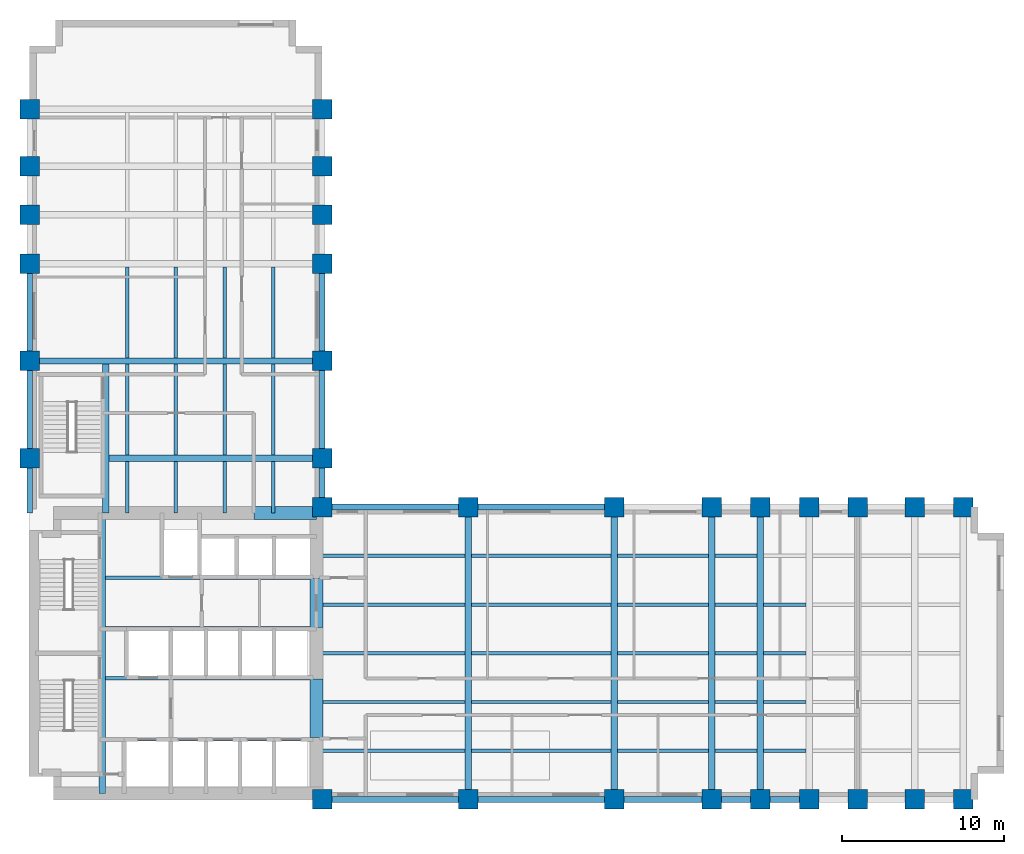
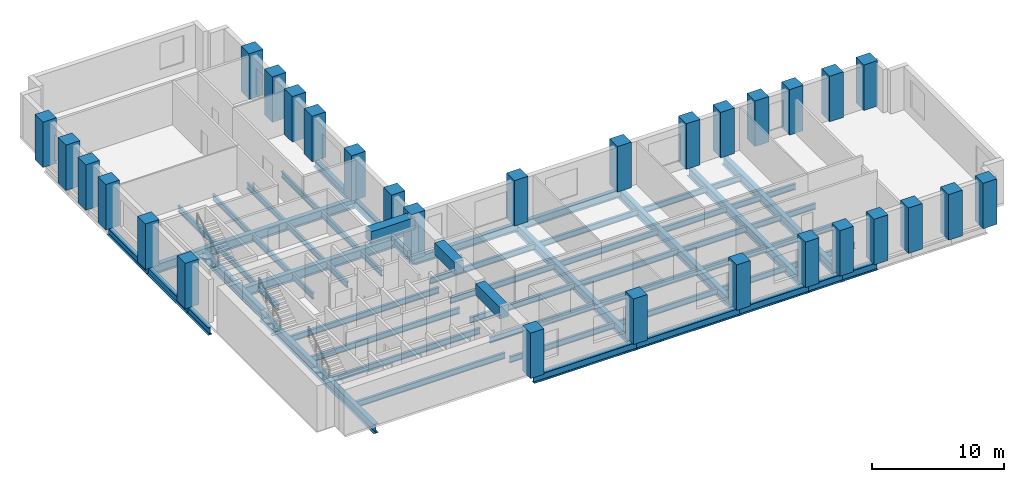
# One storey, part 1 of 7: 64 beams, 30 columns.
"""IFC4 building model written with IfcOpenShell, lengths in metres."""

from ifc_helpers import new_model, si_unit, direction, frame, origin, origin_2d, place, context, subcontext, project, spatial, rectangle, i_section, extrude, material, material_profile, profile_set, type_object, element, save


model = new_model("IFC4")

# Units and contexts
model_context = context("Model", 3, precision=1e-05, world=origin(), true_north=direction((0.0, 1.0)))
body_context = subcontext(model_context, "Body", "Model", "MODEL_VIEW")
ifc_project = project(units=[si_unit("LENGTHUNIT", "METRE"), si_unit("AREAUNIT", "SQUARE_METRE"), si_unit("VOLUMEUNIT", "CUBIC_METRE"), si_unit("PLANEANGLEUNIT", "RADIAN"), si_unit("MASSUNIT", "GRAM", prefix="KILO")], contexts=[model_context])

# Site, building, storey
site_placement = place(None, origin())
site = spatial("IfcSite", under=ifc_project, at=site_placement, CompositionType="ELEMENT")
building_placement = place(site_placement, origin())
building = spatial("IfcBuilding", under=site, at=building_placement, Name="Mawjdan Bourse Tower", CompositionType="ELEMENT")
storey_placement = place(building_placement, frame((0.0, 0.0, 34.199951171875)))
storey = spatial("IfcBuildingStorey", under=building, at=storey_placement, Name="L07", CompositionType="ELEMENT", Elevation=34.199951171875)

# Columns
ifc_material_1 = material(Name="Concrete C80/95", Category="concrete")
ifc_material_profile_1 = material_profile(ifc_material_1, rectangle(XDim=1.199951171875, YDim=1.199951171875, at=origin_2d()), Name="RC1200X1200")
ifc_profile_set_1 = profile_set([ifc_material_profile_1], Name="Concrete C80/95")
column_type = type_object("IfcColumnType", Name="COL-RC1200X1200", PredefinedType="COLUMN", material=ifc_profile_set_1)
for number, where, z_axis, x_axis, name in (
    (1, (24.0, 3.0, 0.0), (0.0, 0.0, 1.0), (1.0, 0.0, 0.0), "L07 Structural Column C-X240-Y30"),
    (2, (24.0, 21.0, 0.0), (0.0, 0.0, 1.0), (1.0, 0.0, 0.0), "L07 Structural Column C-X240-Y210"),
    (3, (33.0, 3.0, 0.0), (0.0, 0.0, 1.0), (1.0, 0.0, 0.0), "L07 Structural Column C-X330-Y30"),
    (4, (33.0, 21.0, 0.0), (0.0, 0.0, 1.0), (1.0, 0.0, 0.0), "L07 Structural Column C-X330-Y210"),
    (5, (42.0, 3.0, 0.0), (0.0, 0.0, 1.0), (1.0, 0.0, 0.0), "L07 Structural Column C-X420-Y30"),
    (6, (42.0, 21.0, 0.0), (0.0, 0.0, 1.0), (1.0, 0.0, 0.0), "L07 Structural Column C-X420-Y210"),
    (7, (48.0, 3.0, 0.0), (0.0, 0.0, 1.0), (1.0, 0.0, 0.0), "L07 Structural Column C-X480-Y30"),
    (8, (48.0, 21.0, 0.0), (0.0, 0.0, 1.0), (1.0, 0.0, 0.0), "L07 Structural Column C-X480-Y210"),
    (9, (51.0, 3.0, 0.0), (0.0, 0.0, 1.0), (1.0, 0.0, 0.0), "L07 Structural Column C-X510-Y30"),
    (10, (51.0, 21.0, 0.0), (0.0, 0.0, 1.0), (1.0, 0.0, 0.0), "L07 Structural Column C-X510-Y210"),
    (11, (54.0, 3.0, 0.0), (0.0, 0.0, 1.0), (1.0, 0.0, 0.0), "L07 Structural Column C-X540-Y30"),
    (12, (54.0, 21.0, 0.0), (0.0, 0.0, 1.0), (1.0, 0.0, 0.0), "L07 Structural Column C-X540-Y210"),
    (13, (57.0, 3.0, 0.0), (0.0, 0.0, 1.0), (1.0, 0.0, 0.0), "L07 Structural Column C-X570-Y30"),
    (14, (57.0, 21.0, 0.0), (0.0, 0.0, 1.0), (1.0, 0.0, 0.0), "L07 Structural Column C-X570-Y210"),
    (15, (60.5, 3.0, 0.0), (0.0, 0.0, 1.0), (1.0, 0.0, 0.0), "L07 Structural Column C-X605-Y30"),
    (16, (60.5, 21.0, 0.0), (0.0, 0.0, 1.0), (1.0, 0.0, 0.0), "L07 Structural Column C-X605-Y210"),
    (17, (63.5, 3.0, 0.0), (0.0, 0.0, 1.0), (1.0, 0.0, 0.0), "L07 Structural Column C-X635-Y30"),
    (18, (63.5, 21.0, 0.0), (0.0, 0.0, 1.0), (1.0, 0.0, 0.0), "L07 Structural Column C-X635-Y210"),
    (19, (6.0, 24.0, 0.0), (0.0, 0.0, 1.0), (1.0, 0.0, 0.0), "L07 Structural Column C-X60-Y240"),
    (20, (24.0, 24.0, 0.0), (0.0, 0.0, 1.0), (1.0, 0.0, 0.0), "L07 Structural Column C-X240-Y240"),
    (21, (6.0, 30.0, 0.0), (0.0, 0.0, 1.0), (1.0, 0.0, 0.0), "L07 Structural Column C-X60-Y300"),
    (22, (24.0, 30.0, 0.0), (0.0, 0.0, 1.0), (1.0, 0.0, 0.0), "L07 Structural Column C-X240-Y300"),
    (23, (6.0, 36.0, 0.0), (0.0, 0.0, 1.0), (1.0, 0.0, 0.0), "L07 Structural Column C-X60-Y360"),
    (24, (24.0, 36.0, 0.0), (0.0, 0.0, 1.0), (1.0, 0.0, 0.0), "L07 Structural Column C-X240-Y360"),
    (25, (6.0, 39.0, 0.0), (0.0, 0.0, 1.0), (1.0, 0.0, 0.0), "L07 Structural Column C-X60-Y390"),
    (26, (24.0, 39.0, 0.0), (0.0, 0.0, 1.0), (1.0, 0.0, 0.0), "L07 Structural Column C-X240-Y390"),
    (27, (6.0, 42.0, 0.0), (0.0, 0.0, 1.0), (1.0, 0.0, 0.0), "L07 Structural Column C-X60-Y420"),
    (28, (24.0, 42.0, 0.0), (0.0, 0.0, 1.0), (1.0, 0.0, 0.0), "L07 Structural Column C-X240-Y420"),
    (29, (6.0, 45.5, 0.0), (0.0, 0.0, 1.0), (1.0, 0.0, 0.0), "L07 Structural Column C-X60-Y455"),
    (30, (24.0, 45.5, 0.0), (0.0, 0.0, 1.0), (1.0, 0.0, 0.0), "L07 Structural Column C-X240-Y455"),
):
    element("IfcColumn", number, at=place(storey_placement, frame(where, z_axis=z_axis, x_axis=x_axis)), inside=storey, type_object=column_type, Name=name, PredefinedType="COLUMN", context=body_context, shape_type="SweptSolid", body=[
        extrude(rectangle(XDim=1.199951171875, YDim=1.199951171875, at=origin_2d()), origin(), (0.0, 0.0, 1.0), 4.199951171875),
    ])

# Beams
ifc_material_2 = material(Name="Structural Steel S355", Category="steel")
ifc_material_profile_2 = material_profile(ifc_material_2, i_section(OverallWidth=0.39892578125, OverallDepth=0.85595703125, WebThickness=0.018310546875, FlangeThickness=0.029296875, FilletRadius=0.0234375, at=origin_2d()), Name="W33X201")
ifc_profile_set_2 = profile_set([ifc_material_profile_2], Name="Structural Steel S355")
beam_type_1 = type_object("IfcBeamType", Name="GRD-W33X201", PredefinedType="BEAM", material=ifc_profile_set_2)
beam_1_placement = place(storey_placement, frame((10.47998046875, 3.35009765625, -0.64794921875), z_axis=(0.0, 1.0, 0.0), x_axis=(-1.0, 0.0, 0.0)))
element("IfcBeam", 31, at=beam_1_placement, inside=storey, type_object=beam_type_1, Name="L07 Core Stair Trimmer Girder 001", PredefinedType="BEAM", context=body_context, shape_type="SweptSolid", body=[
    extrude(i_section(OverallWidth=0.39892578125, OverallDepth=0.85595703125, WebThickness=0.018310546875, FlangeThickness=0.029296875, FilletRadius=0.0234375, at=origin_2d()), origin(), (0.0, 0.0, 1.0), 17.2998046875),
])
for number, where, z_axis, x_axis, name in (
    (32, (33.0, 3.0, -0.64794921875), (0.0, 1.0, 0.0), (-1.0, 0.0, 0.0), "L07 East Wing Clear-Span Girder 002"),
    (33, (42.0, 3.0, -0.64794921875), (0.0, 1.0, 0.0), (-1.0, 0.0, 0.0), "L07 East Wing Clear-Span Girder 003"),
    (34, (48.0, 3.0, -0.64794921875), (0.0, 1.0, 0.0), (-1.0, 0.0, 0.0), "L07 East Wing Clear-Span Girder 004"),
    (35, (51.0, 3.0, -0.64794921875), (0.0, 1.0, 0.0), (-1.0, 0.0, 0.0), "L07 East Wing Clear-Span Girder 005"),
):
    element("IfcBeam", number, at=place(storey_placement, frame(where, z_axis=z_axis, x_axis=x_axis)), inside=storey, type_object=beam_type_1, Name=name, PredefinedType="BEAM", context=body_context, shape_type="SweptSolid", body=[
        extrude(i_section(OverallWidth=0.39892578125, OverallDepth=0.85595703125, WebThickness=0.018310546875, FlangeThickness=0.029296875, FilletRadius=0.0234375, at=origin_2d()), origin(), (0.0, 0.0, 1.0), 18.0),
    ])
beam_2_placement = place(storey_placement, frame((10.679931640625, 20.64990234375, -0.64794921875), z_axis=(0.0, 1.0, 0.0), x_axis=(-1.0, 0.0, 0.0)))
element("IfcBeam", 36, at=beam_2_placement, inside=storey, type_object=beam_type_1, Name="L07 North Wing Stair Trimmer Girder 070", PredefinedType="BEAM", context=body_context, shape_type="SweptSolid", body=[
    extrude(i_section(OverallWidth=0.39892578125, OverallDepth=0.85595703125, WebThickness=0.018310546875, FlangeThickness=0.029296875, FilletRadius=0.0234375, at=origin_2d()), origin(), (0.0, 0.0, 1.0), 9.152587890625),
])
beam_3_placement = place(storey_placement, frame((10.87744140625, 24.0, -0.64794921875), z_axis=(1.0, 0.0, 0.0), x_axis=(0.0, 1.0, 0.0)))
element("IfcBeam", 37, at=beam_3_placement, inside=storey, type_object=beam_type_1, Name="L07 North Wing Clear-Span Girder 071", PredefinedType="BEAM", context=body_context, shape_type="SweptSolid", body=[
    extrude(i_section(OverallWidth=0.39892578125, OverallDepth=0.85595703125, WebThickness=0.018310546875, FlangeThickness=0.029296875, FilletRadius=0.0234375, at=origin_2d()), origin(), (0.0, 0.0, 1.0), 13.12255859375),
])
beam_4_placement = place(storey_placement, frame((6.0, 30.0, -0.64794921875), z_axis=(1.0, 0.0, 0.0), x_axis=(0.0, 1.0, 0.0)))
element("IfcBeam", 38, at=beam_4_placement, inside=storey, type_object=beam_type_1, Name="L07 North Wing Clear-Span Girder 072", PredefinedType="BEAM", context=body_context, shape_type="SweptSolid", body=[
    extrude(i_section(OverallWidth=0.39892578125, OverallDepth=0.85595703125, WebThickness=0.018310546875, FlangeThickness=0.029296875, FilletRadius=0.0234375, at=origin_2d()), origin(), (0.0, 0.0, 1.0), 18.0),
])
ifc_material_profile_3 = material_profile(ifc_material_2, i_section(OverallWidth=0.2119140625, OverallDepth=0.5439453125, WebThickness=0.01318359375, FlangeThickness=0.021240234375, FilletRadius=0.01708984375, at=origin_2d()), Name="W21X83")
ifc_profile_set_3 = profile_set([ifc_material_profile_3], Name="Structural Steel S355")
beam_type_2 = type_object("IfcBeamType", Name="JST-W21X83", PredefinedType="JOIST", material=ifc_profile_set_3)
beam_5_placement = place(storey_placement, frame((23.64990234375, 6.0, -0.491943359375), z_axis=(1.0, 0.0, 0.0), x_axis=(0.0, 1.0, 0.0)))
element("IfcBeam", 39, at=beam_5_placement, inside=storey, type_object=beam_type_2, Name="L07 East Wing Composite Joist 026", PredefinedType="JOIST", context=body_context, shape_type="SweptSolid", body=[
    extrude(i_section(OverallWidth=0.2119140625, OverallDepth=0.5439453125, WebThickness=0.01318359375, FlangeThickness=0.021240234375, FilletRadius=0.01708984375, at=origin_2d()), origin(), (0.0, 0.0, 1.0), 9.152587890625),
])
beam_6_placement = place(storey_placement, frame((33.197509765625, 6.0, -0.491943359375), z_axis=(1.0, 0.0, 0.0), x_axis=(0.0, 1.0, 0.0)))
element("IfcBeam", 40, at=beam_6_placement, inside=storey, type_object=beam_type_2, Name="L07 East Wing Composite Joist 027", PredefinedType="JOIST", context=body_context, shape_type="SweptSolid", body=[
    extrude(i_section(OverallWidth=0.2119140625, OverallDepth=0.5439453125, WebThickness=0.01318359375, FlangeThickness=0.021240234375, FilletRadius=0.01708984375, at=origin_2d()), origin(), (0.0, 0.0, 1.0), 8.60498046875),
])
beam_7_placement = place(storey_placement, frame((42.197509765625, 6.0, -0.491943359375), z_axis=(1.0, 0.0, 0.0), x_axis=(0.0, 1.0, 0.0)))
element("IfcBeam", 41, at=beam_7_placement, inside=storey, type_object=beam_type_2, Name="L07 East Wing Composite Joist 028", PredefinedType="JOIST", context=body_context, shape_type="SweptSolid", body=[
    extrude(i_section(OverallWidth=0.2119140625, OverallDepth=0.5439453125, WebThickness=0.01318359375, FlangeThickness=0.021240234375, FilletRadius=0.01708984375, at=origin_2d()), origin(), (0.0, 0.0, 1.0), 5.60498046875),
])
for number, where, z_axis, x_axis, name in (
    (42, (48.197509765625, 6.0, -0.491943359375), (1.0, 0.0, 0.0), (0.0, 1.0, 0.0), "L07 East Wing Composite Joist 029"),
    (43, (51.197509765625, 6.0, -0.491943359375), (1.0, 0.0, 0.0), (0.0, 1.0, 0.0), "L07 East Wing Composite Joist 030"),
):
    element("IfcBeam", number, at=place(storey_placement, frame(where, z_axis=z_axis, x_axis=x_axis)), inside=storey, type_object=beam_type_2, Name=name, PredefinedType="JOIST", context=body_context, shape_type="SweptSolid", body=[
        extrude(i_section(OverallWidth=0.2119140625, OverallDepth=0.5439453125, WebThickness=0.01318359375, FlangeThickness=0.021240234375, FilletRadius=0.01708984375, at=origin_2d()), origin(), (0.0, 0.0, 1.0), 2.60498046875),
    ])
beam_8_placement = place(storey_placement, frame((23.64990234375, 9.0, -0.491943359375), z_axis=(1.0, 0.0, 0.0), x_axis=(0.0, 1.0, 0.0)))
element("IfcBeam", 44, at=beam_8_placement, inside=storey, type_object=beam_type_2, Name="L07 East Wing Composite Joist 034", PredefinedType="JOIST", context=body_context, shape_type="SweptSolid", body=[
    extrude(i_section(OverallWidth=0.2119140625, OverallDepth=0.5439453125, WebThickness=0.01318359375, FlangeThickness=0.021240234375, FilletRadius=0.01708984375, at=origin_2d()), origin(), (0.0, 0.0, 1.0), 9.152587890625),
])
beam_9_placement = place(storey_placement, frame((33.197509765625, 9.0, -0.491943359375), z_axis=(1.0, 0.0, 0.0), x_axis=(0.0, 1.0, 0.0)))
element("IfcBeam", 45, at=beam_9_placement, inside=storey, type_object=beam_type_2, Name="L07 East Wing Composite Joist 035", PredefinedType="JOIST", context=body_context, shape_type="SweptSolid", body=[
    extrude(i_section(OverallWidth=0.2119140625, OverallDepth=0.5439453125, WebThickness=0.01318359375, FlangeThickness=0.021240234375, FilletRadius=0.01708984375, at=origin_2d()), origin(), (0.0, 0.0, 1.0), 8.60498046875),
])
beam_10_placement = place(storey_placement, frame((42.197509765625, 9.0, -0.491943359375), z_axis=(1.0, 0.0, 0.0), x_axis=(0.0, 1.0, 0.0)))
element("IfcBeam", 46, at=beam_10_placement, inside=storey, type_object=beam_type_2, Name="L07 East Wing Composite Joist 036", PredefinedType="JOIST", context=body_context, shape_type="SweptSolid", body=[
    extrude(i_section(OverallWidth=0.2119140625, OverallDepth=0.5439453125, WebThickness=0.01318359375, FlangeThickness=0.021240234375, FilletRadius=0.01708984375, at=origin_2d()), origin(), (0.0, 0.0, 1.0), 5.60498046875),
])
for number, where, z_axis, x_axis, name in (
    (47, (48.197509765625, 9.0, -0.491943359375), (1.0, 0.0, 0.0), (0.0, 1.0, 0.0), "L07 East Wing Composite Joist 037"),
    (48, (51.197509765625, 9.0, -0.491943359375), (1.0, 0.0, 0.0), (0.0, 1.0, 0.0), "L07 East Wing Composite Joist 038"),
):
    element("IfcBeam", number, at=place(storey_placement, frame(where, z_axis=z_axis, x_axis=x_axis)), inside=storey, type_object=beam_type_2, Name=name, PredefinedType="JOIST", context=body_context, shape_type="SweptSolid", body=[
        extrude(i_section(OverallWidth=0.2119140625, OverallDepth=0.5439453125, WebThickness=0.01318359375, FlangeThickness=0.021240234375, FilletRadius=0.01708984375, at=origin_2d()), origin(), (0.0, 0.0, 1.0), 2.60498046875),
    ])
beam_11_placement = place(storey_placement, frame((23.64990234375, 12.0, -0.491943359375), z_axis=(1.0, 0.0, 0.0), x_axis=(0.0, 1.0, 0.0)))
element("IfcBeam", 49, at=beam_11_placement, inside=storey, type_object=beam_type_2, Name="L07 East Wing Composite Joist 042", PredefinedType="JOIST", context=body_context, shape_type="SweptSolid", body=[
    extrude(i_section(OverallWidth=0.2119140625, OverallDepth=0.5439453125, WebThickness=0.01318359375, FlangeThickness=0.021240234375, FilletRadius=0.01708984375, at=origin_2d()), origin(), (0.0, 0.0, 1.0), 9.152587890625),
])
beam_12_placement = place(storey_placement, frame((33.197509765625, 12.0, -0.491943359375), z_axis=(1.0, 0.0, 0.0), x_axis=(0.0, 1.0, 0.0)))
element("IfcBeam", 50, at=beam_12_placement, inside=storey, type_object=beam_type_2, Name="L07 East Wing Composite Joist 043", PredefinedType="JOIST", context=body_context, shape_type="SweptSolid", body=[
    extrude(i_section(OverallWidth=0.2119140625, OverallDepth=0.5439453125, WebThickness=0.01318359375, FlangeThickness=0.021240234375, FilletRadius=0.01708984375, at=origin_2d()), origin(), (0.0, 0.0, 1.0), 8.60498046875),
])
beam_13_placement = place(storey_placement, frame((42.197509765625, 12.0, -0.491943359375), z_axis=(1.0, 0.0, 0.0), x_axis=(0.0, 1.0, 0.0)))
element("IfcBeam", 51, at=beam_13_placement, inside=storey, type_object=beam_type_2, Name="L07 East Wing Composite Joist 044", PredefinedType="JOIST", context=body_context, shape_type="SweptSolid", body=[
    extrude(i_section(OverallWidth=0.2119140625, OverallDepth=0.5439453125, WebThickness=0.01318359375, FlangeThickness=0.021240234375, FilletRadius=0.01708984375, at=origin_2d()), origin(), (0.0, 0.0, 1.0), 5.60498046875),
])
for number, where, z_axis, x_axis, name in (
    (52, (48.197509765625, 12.0, -0.491943359375), (1.0, 0.0, 0.0), (0.0, 1.0, 0.0), "L07 East Wing Composite Joist 045"),
    (53, (51.197509765625, 12.0, -0.491943359375), (1.0, 0.0, 0.0), (0.0, 1.0, 0.0), "L07 East Wing Composite Joist 046"),
):
    element("IfcBeam", number, at=place(storey_placement, frame(where, z_axis=z_axis, x_axis=x_axis)), inside=storey, type_object=beam_type_2, Name=name, PredefinedType="JOIST", context=body_context, shape_type="SweptSolid", body=[
        extrude(i_section(OverallWidth=0.2119140625, OverallDepth=0.5439453125, WebThickness=0.01318359375, FlangeThickness=0.021240234375, FilletRadius=0.01708984375, at=origin_2d()), origin(), (0.0, 0.0, 1.0), 2.60498046875),
    ])
beam_14_placement = place(storey_placement, frame((23.64990234375, 15.0, -0.491943359375), z_axis=(1.0, 0.0, 0.0), x_axis=(0.0, 1.0, 0.0)))
element("IfcBeam", 54, at=beam_14_placement, inside=storey, type_object=beam_type_2, Name="L07 East Wing Composite Joist 050", PredefinedType="JOIST", context=body_context, shape_type="SweptSolid", body=[
    extrude(i_section(OverallWidth=0.2119140625, OverallDepth=0.5439453125, WebThickness=0.01318359375, FlangeThickness=0.021240234375, FilletRadius=0.01708984375, at=origin_2d()), origin(), (0.0, 0.0, 1.0), 9.152587890625),
])
beam_15_placement = place(storey_placement, frame((33.197509765625, 15.0, -0.491943359375), z_axis=(1.0, 0.0, 0.0), x_axis=(0.0, 1.0, 0.0)))
element("IfcBeam", 55, at=beam_15_placement, inside=storey, type_object=beam_type_2, Name="L07 East Wing Composite Joist 051", PredefinedType="JOIST", context=body_context, shape_type="SweptSolid", body=[
    extrude(i_section(OverallWidth=0.2119140625, OverallDepth=0.5439453125, WebThickness=0.01318359375, FlangeThickness=0.021240234375, FilletRadius=0.01708984375, at=origin_2d()), origin(), (0.0, 0.0, 1.0), 8.60498046875),
])
beam_16_placement = place(storey_placement, frame((42.197509765625, 15.0, -0.491943359375), z_axis=(1.0, 0.0, 0.0), x_axis=(0.0, 1.0, 0.0)))
element("IfcBeam", 56, at=beam_16_placement, inside=storey, type_object=beam_type_2, Name="L07 East Wing Composite Joist 052", PredefinedType="JOIST", context=body_context, shape_type="SweptSolid", body=[
    extrude(i_section(OverallWidth=0.2119140625, OverallDepth=0.5439453125, WebThickness=0.01318359375, FlangeThickness=0.021240234375, FilletRadius=0.01708984375, at=origin_2d()), origin(), (0.0, 0.0, 1.0), 5.60498046875),
])
for number, where, z_axis, x_axis, name in (
    (57, (48.197509765625, 15.0, -0.491943359375), (1.0, 0.0, 0.0), (0.0, 1.0, 0.0), "L07 East Wing Composite Joist 053"),
    (58, (51.197509765625, 15.0, -0.491943359375), (1.0, 0.0, 0.0), (0.0, 1.0, 0.0), "L07 East Wing Composite Joist 054"),
):
    element("IfcBeam", number, at=place(storey_placement, frame(where, z_axis=z_axis, x_axis=x_axis)), inside=storey, type_object=beam_type_2, Name=name, PredefinedType="JOIST", context=body_context, shape_type="SweptSolid", body=[
        extrude(i_section(OverallWidth=0.2119140625, OverallDepth=0.5439453125, WebThickness=0.01318359375, FlangeThickness=0.021240234375, FilletRadius=0.01708984375, at=origin_2d()), origin(), (0.0, 0.0, 1.0), 2.60498046875),
    ])
beam_17_placement = place(storey_placement, frame((23.64990234375, 18.0, -0.491943359375), z_axis=(1.0, 0.0, 0.0), x_axis=(0.0, 1.0, 0.0)))
element("IfcBeam", 59, at=beam_17_placement, inside=storey, type_object=beam_type_2, Name="L07 East Wing Composite Joist 058", PredefinedType="JOIST", context=body_context, shape_type="SweptSolid", body=[
    extrude(i_section(OverallWidth=0.2119140625, OverallDepth=0.5439453125, WebThickness=0.01318359375, FlangeThickness=0.021240234375, FilletRadius=0.01708984375, at=origin_2d()), origin(), (0.0, 0.0, 1.0), 9.152587890625),
])
beam_18_placement = place(storey_placement, frame((33.197509765625, 18.0, -0.491943359375), z_axis=(1.0, 0.0, 0.0), x_axis=(0.0, 1.0, 0.0)))
element("IfcBeam", 60, at=beam_18_placement, inside=storey, type_object=beam_type_2, Name="L07 East Wing Composite Joist 059", PredefinedType="JOIST", context=body_context, shape_type="SweptSolid", body=[
    extrude(i_section(OverallWidth=0.2119140625, OverallDepth=0.5439453125, WebThickness=0.01318359375, FlangeThickness=0.021240234375, FilletRadius=0.01708984375, at=origin_2d()), origin(), (0.0, 0.0, 1.0), 8.60498046875),
])
beam_19_placement = place(storey_placement, frame((42.197509765625, 18.0, -0.491943359375), z_axis=(1.0, 0.0, 0.0), x_axis=(0.0, 1.0, 0.0)))
element("IfcBeam", 61, at=beam_19_placement, inside=storey, type_object=beam_type_2, Name="L07 East Wing Composite Joist 060", PredefinedType="JOIST", context=body_context, shape_type="SweptSolid", body=[
    extrude(i_section(OverallWidth=0.2119140625, OverallDepth=0.5439453125, WebThickness=0.01318359375, FlangeThickness=0.021240234375, FilletRadius=0.01708984375, at=origin_2d()), origin(), (0.0, 0.0, 1.0), 5.60498046875),
])
beam_20_placement = place(storey_placement, frame((48.197509765625, 18.0, -0.491943359375), z_axis=(1.0, 0.0, 0.0), x_axis=(0.0, 1.0, 0.0)))
element("IfcBeam", 62, at=beam_20_placement, inside=storey, type_object=beam_type_2, Name="L07 East Wing Composite Joist 061", PredefinedType="JOIST", context=body_context, shape_type="SweptSolid", body=[
    extrude(i_section(OverallWidth=0.2119140625, OverallDepth=0.5439453125, WebThickness=0.01318359375, FlangeThickness=0.021240234375, FilletRadius=0.01708984375, at=origin_2d()), origin(), (0.0, 0.0, 1.0), 2.60498046875),
])
for number, where, z_axis, x_axis, name in (
    (63, (10.677490234375, 6.699951171875, -0.491943359375), (1.0, 0.0, 0.0), (0.0, 1.0, 0.0), "L07 Core Floor Joist 066"),
    (64, (10.677490234375, 10.449951171875, -0.491943359375), (1.0, 0.0, 0.0), (0.0, 1.0, 0.0), "L07 Core Floor Joist 067"),
    (65, (10.677490234375, 13.550048828125, -0.491943359375), (1.0, 0.0, 0.0), (0.0, 1.0, 0.0), "L07 Core Floor Joist 068"),
    (66, (10.677490234375, 16.64990234375, -0.491943359375), (1.0, 0.0, 0.0), (0.0, 1.0, 0.0), "L07 Core Floor Joist 069"),
):
    element("IfcBeam", number, at=place(storey_placement, frame(where, z_axis=z_axis, x_axis=x_axis)), inside=storey, type_object=beam_type_2, Name=name, PredefinedType="JOIST", context=body_context, shape_type="SweptSolid", body=[
        extrude(i_section(OverallWidth=0.2119140625, OverallDepth=0.5439453125, WebThickness=0.01318359375, FlangeThickness=0.021240234375, FilletRadius=0.01708984375, at=origin_2d()), origin(), (0.0, 0.0, 1.0), 12.972412109375),
    ])
beam_21_placement = place(storey_placement, frame((12.0, 20.64990234375, -0.491943359375), z_axis=(0.0, 1.0, 0.0), x_axis=(-1.0, 0.0, 0.0)))
element("IfcBeam", 67, at=beam_21_placement, inside=storey, type_object=beam_type_2, Name="L07 North Wing Composite Joist 089", PredefinedType="JOIST", context=body_context, shape_type="SweptSolid", body=[
    extrude(i_section(OverallWidth=0.2119140625, OverallDepth=0.5439453125, WebThickness=0.01318359375, FlangeThickness=0.021240234375, FilletRadius=0.01708984375, at=origin_2d()), origin(), (0.0, 0.0, 1.0), 3.152587890625),
])
for number, where, z_axis, x_axis, name in (
    (68, (12.0, 24.197509765625, -0.491943359375), (0.0, 1.0, 0.0), (-1.0, 0.0, 0.0), "L07 North Wing Composite Joist 090"),
    (69, (12.0, 30.197509765625, -0.491943359375), (0.0, 1.0, 0.0), (-1.0, 0.0, 0.0), "L07 North Wing Composite Joist 091"),
):
    element("IfcBeam", number, at=place(storey_placement, frame(where, z_axis=z_axis, x_axis=x_axis)), inside=storey, type_object=beam_type_2, Name=name, PredefinedType="JOIST", context=body_context, shape_type="SweptSolid", body=[
        extrude(i_section(OverallWidth=0.2119140625, OverallDepth=0.5439453125, WebThickness=0.01318359375, FlangeThickness=0.021240234375, FilletRadius=0.01708984375, at=origin_2d()), origin(), (0.0, 0.0, 1.0), 5.60498046875),
    ])
beam_22_placement = place(storey_placement, frame((15.0, 20.64990234375, -0.491943359375), z_axis=(0.0, 1.0, 0.0), x_axis=(-1.0, 0.0, 0.0)))
element("IfcBeam", 70, at=beam_22_placement, inside=storey, type_object=beam_type_2, Name="L07 North Wing Composite Joist 095", PredefinedType="JOIST", context=body_context, shape_type="SweptSolid", body=[
    extrude(i_section(OverallWidth=0.2119140625, OverallDepth=0.5439453125, WebThickness=0.01318359375, FlangeThickness=0.021240234375, FilletRadius=0.01708984375, at=origin_2d()), origin(), (0.0, 0.0, 1.0), 3.152587890625),
])
for number, where, z_axis, x_axis, name in (
    (71, (15.0, 24.197509765625, -0.491943359375), (0.0, 1.0, 0.0), (-1.0, 0.0, 0.0), "L07 North Wing Composite Joist 096"),
    (72, (15.0, 30.197509765625, -0.491943359375), (0.0, 1.0, 0.0), (-1.0, 0.0, 0.0), "L07 North Wing Composite Joist 097"),
):
    element("IfcBeam", number, at=place(storey_placement, frame(where, z_axis=z_axis, x_axis=x_axis)), inside=storey, type_object=beam_type_2, Name=name, PredefinedType="JOIST", context=body_context, shape_type="SweptSolid", body=[
        extrude(i_section(OverallWidth=0.2119140625, OverallDepth=0.5439453125, WebThickness=0.01318359375, FlangeThickness=0.021240234375, FilletRadius=0.01708984375, at=origin_2d()), origin(), (0.0, 0.0, 1.0), 5.60498046875),
    ])
beam_23_placement = place(storey_placement, frame((18.0, 20.64990234375, -0.491943359375), z_axis=(0.0, 1.0, 0.0), x_axis=(-1.0, 0.0, 0.0)))
element("IfcBeam", 73, at=beam_23_placement, inside=storey, type_object=beam_type_2, Name="L07 North Wing Composite Joist 101", PredefinedType="JOIST", context=body_context, shape_type="SweptSolid", body=[
    extrude(i_section(OverallWidth=0.2119140625, OverallDepth=0.5439453125, WebThickness=0.01318359375, FlangeThickness=0.021240234375, FilletRadius=0.01708984375, at=origin_2d()), origin(), (0.0, 0.0, 1.0), 3.152587890625),
])
for number, where, z_axis, x_axis, name in (
    (74, (18.0, 24.197509765625, -0.491943359375), (0.0, 1.0, 0.0), (-1.0, 0.0, 0.0), "L07 North Wing Composite Joist 102"),
    (75, (18.0, 30.197509765625, -0.491943359375), (0.0, 1.0, 0.0), (-1.0, 0.0, 0.0), "L07 North Wing Composite Joist 103"),
):
    element("IfcBeam", number, at=place(storey_placement, frame(where, z_axis=z_axis, x_axis=x_axis)), inside=storey, type_object=beam_type_2, Name=name, PredefinedType="JOIST", context=body_context, shape_type="SweptSolid", body=[
        extrude(i_section(OverallWidth=0.2119140625, OverallDepth=0.5439453125, WebThickness=0.01318359375, FlangeThickness=0.021240234375, FilletRadius=0.01708984375, at=origin_2d()), origin(), (0.0, 0.0, 1.0), 5.60498046875),
    ])
beam_24_placement = place(storey_placement, frame((21.0, 20.64990234375, -0.491943359375), z_axis=(0.0, 1.0, 0.0), x_axis=(-1.0, 0.0, 0.0)))
element("IfcBeam", 76, at=beam_24_placement, inside=storey, type_object=beam_type_2, Name="L07 North Wing Composite Joist 107", PredefinedType="JOIST", context=body_context, shape_type="SweptSolid", body=[
    extrude(i_section(OverallWidth=0.2119140625, OverallDepth=0.5439453125, WebThickness=0.01318359375, FlangeThickness=0.021240234375, FilletRadius=0.01708984375, at=origin_2d()), origin(), (0.0, 0.0, 1.0), 3.152587890625),
])
for number, where, z_axis, x_axis, name in (
    (77, (21.0, 24.197509765625, -0.491943359375), (0.0, 1.0, 0.0), (-1.0, 0.0, 0.0), "L07 North Wing Composite Joist 108"),
    (78, (21.0, 30.197509765625, -0.491943359375), (0.0, 1.0, 0.0), (-1.0, 0.0, 0.0), "L07 North Wing Composite Joist 109"),
):
    element("IfcBeam", number, at=place(storey_placement, frame(where, z_axis=z_axis, x_axis=x_axis)), inside=storey, type_object=beam_type_2, Name=name, PredefinedType="JOIST", context=body_context, shape_type="SweptSolid", body=[
        extrude(i_section(OverallWidth=0.2119140625, OverallDepth=0.5439453125, WebThickness=0.01318359375, FlangeThickness=0.021240234375, FilletRadius=0.01708984375, at=origin_2d()), origin(), (0.0, 0.0, 1.0), 5.60498046875),
    ])
ifc_material_3 = material(Name="Concrete C70/85", Category="concrete")
ifc_material_profile_4 = material_profile(ifc_material_3, rectangle(XDim=0.800048828125, YDim=1.10009765625, at=origin_2d()), Name="RCB800X1100")
ifc_profile_set_4 = profile_set([ifc_material_profile_4], Name="Concrete C70/85")
beam_type_3 = type_object("IfcBeamType", Name="LNT-RCB800X1100", PredefinedType="LINTEL", material=ifc_profile_set_4)
beam_25_placement = place(storey_placement, frame((23.64990234375, 6.800048828125, 3.429931640625), z_axis=(0.0, 1.0, 0.0), x_axis=(-1.0, 0.0, 0.0)))
element("IfcBeam", 79, at=beam_25_placement, inside=storey, type_object=beam_type_3, Name="L07 Coupled Core Lintel CB-E1", PredefinedType="LINTEL", context=body_context, shape_type="SweptSolid", body=[
    extrude(rectangle(XDim=0.800048828125, YDim=1.10009765625, at=origin_2d()), origin(), (0.0, 0.0, 1.0), 3.599853515625),
])
beam_26_placement = place(storey_placement, frame((23.64990234375, 13.60009765625, 3.429931640625), z_axis=(0.0, 1.0, 0.0), x_axis=(-1.0, 0.0, 0.0)))
element("IfcBeam", 80, at=beam_26_placement, inside=storey, type_object=beam_type_3, Name="L07 Coupled Core Lintel CB-E2", PredefinedType="LINTEL", context=body_context, shape_type="SweptSolid", body=[
    extrude(rectangle(XDim=0.800048828125, YDim=1.10009765625, at=origin_2d()), origin(), (0.0, 0.0, 1.0), 3.0),
])
beam_27_placement = place(storey_placement, frame((19.800048828125, 20.64990234375, 3.429931640625), z_axis=(1.0, 0.0, 0.0), x_axis=(0.0, 1.0, 0.0)))
element("IfcBeam", 81, at=beam_27_placement, inside=storey, type_object=beam_type_3, Name="L07 Coupled Core Lintel CB-N1", PredefinedType="LINTEL", context=body_context, shape_type="SweptSolid", body=[
    extrude(rectangle(XDim=0.800048828125, YDim=1.10009765625, at=origin_2d()), origin(), (0.0, 0.0, 1.0), 3.849853515625),
])
ifc_material_profile_5 = material_profile(ifc_material_2, i_section(OverallWidth=0.35498046875, OverallDepth=0.696044921875, WebThickness=0.015380859375, FlangeThickness=0.02490234375, FilletRadius=0.019775390625, at=origin_2d()), Name="W27X146")
ifc_profile_set_5 = profile_set([ifc_material_profile_5], Name="Structural Steel S355")
beam_type_4 = type_object("IfcBeamType", Name="SPN-W27X146", PredefinedType="SPANDREL", material=ifc_profile_set_5)
for number, where, z_axis, x_axis, name in (
    (82, (24.0, 3.0, -0.56787109375), (1.0, 0.0, 0.0), (0.0, 1.0, 0.0), "L07 Perimeter Masonry-Shelf Spandrel 010"),
    (83, (33.0, 3.0, -0.56787109375), (1.0, 0.0, 0.0), (0.0, 1.0, 0.0), "L07 Perimeter Masonry-Shelf Spandrel 011"),
):
    element("IfcBeam", number, at=place(storey_placement, frame(where, z_axis=z_axis, x_axis=x_axis)), inside=storey, type_object=beam_type_4, Name=name, PredefinedType="SPANDREL", context=body_context, shape_type="SweptSolid", body=[
        extrude(i_section(OverallWidth=0.35498046875, OverallDepth=0.696044921875, WebThickness=0.015380859375, FlangeThickness=0.02490234375, FilletRadius=0.019775390625, at=origin_2d()), origin(), (0.0, 0.0, 1.0), 9.0),
    ])
beam_28_placement = place(storey_placement, frame((42.0, 3.0, -0.56787109375), z_axis=(1.0, 0.0, 0.0), x_axis=(0.0, 1.0, 0.0)))
element("IfcBeam", 84, at=beam_28_placement, inside=storey, type_object=beam_type_4, Name="L07 Perimeter Masonry-Shelf Spandrel 012", PredefinedType="SPANDREL", context=body_context, shape_type="SweptSolid", body=[
    extrude(i_section(OverallWidth=0.35498046875, OverallDepth=0.696044921875, WebThickness=0.015380859375, FlangeThickness=0.02490234375, FilletRadius=0.019775390625, at=origin_2d()), origin(), (0.0, 0.0, 1.0), 6.0),
])
for number, where, z_axis, x_axis, name in (
    (85, (48.0, 3.0, -0.56787109375), (1.0, 0.0, 0.0), (0.0, 1.0, 0.0), "L07 Perimeter Masonry-Shelf Spandrel 013"),
    (86, (51.0, 3.0, -0.56787109375), (1.0, 0.0, 0.0), (0.0, 1.0, 0.0), "L07 Perimeter Masonry-Shelf Spandrel 014"),
):
    element("IfcBeam", number, at=place(storey_placement, frame(where, z_axis=z_axis, x_axis=x_axis)), inside=storey, type_object=beam_type_4, Name=name, PredefinedType="SPANDREL", context=body_context, shape_type="SweptSolid", body=[
        extrude(i_section(OverallWidth=0.35498046875, OverallDepth=0.696044921875, WebThickness=0.015380859375, FlangeThickness=0.02490234375, FilletRadius=0.019775390625, at=origin_2d()), origin(), (0.0, 0.0, 1.0), 3.0),
    ])
for number, where, z_axis, x_axis, name in (
    (87, (24.0, 21.0, -0.56787109375), (1.0, 0.0, 0.0), (0.0, 1.0, 0.0), "L07 Perimeter Masonry-Shelf Spandrel 018"),
    (88, (33.0, 21.0, -0.56787109375), (1.0, 0.0, 0.0), (0.0, 1.0, 0.0), "L07 Perimeter Masonry-Shelf Spandrel 019"),
):
    element("IfcBeam", number, at=place(storey_placement, frame(where, z_axis=z_axis, x_axis=x_axis)), inside=storey, type_object=beam_type_4, Name=name, PredefinedType="SPANDREL", context=body_context, shape_type="SweptSolid", body=[
        extrude(i_section(OverallWidth=0.35498046875, OverallDepth=0.696044921875, WebThickness=0.015380859375, FlangeThickness=0.02490234375, FilletRadius=0.019775390625, at=origin_2d()), origin(), (0.0, 0.0, 1.0), 9.0),
    ])
beam_29_placement = place(storey_placement, frame((6.0, 20.64990234375, -0.56787109375), z_axis=(0.0, 1.0, 0.0), x_axis=(-1.0, 0.0, 0.0)))
element("IfcBeam", 89, at=beam_29_placement, inside=storey, type_object=beam_type_4, Name="L07 North Wing Spandrel 077", PredefinedType="SPANDREL", context=body_context, shape_type="SweptSolid", body=[
    extrude(i_section(OverallWidth=0.35498046875, OverallDepth=0.696044921875, WebThickness=0.015380859375, FlangeThickness=0.02490234375, FilletRadius=0.019775390625, at=origin_2d()), origin(), (0.0, 0.0, 1.0), 3.35009765625),
])
for number, where, z_axis, x_axis, name in (
    (90, (6.0, 24.0, -0.56787109375), (0.0, 1.0, 0.0), (-1.0, 0.0, 0.0), "L07 North Wing Spandrel 078"),
    (91, (6.0, 30.0, -0.56787109375), (0.0, 1.0, 0.0), (-1.0, 0.0, 0.0), "L07 North Wing Spandrel 079"),
):
    element("IfcBeam", number, at=place(storey_placement, frame(where, z_axis=z_axis, x_axis=x_axis)), inside=storey, type_object=beam_type_4, Name=name, PredefinedType="SPANDREL", context=body_context, shape_type="SweptSolid", body=[
        extrude(i_section(OverallWidth=0.35498046875, OverallDepth=0.696044921875, WebThickness=0.015380859375, FlangeThickness=0.02490234375, FilletRadius=0.019775390625, at=origin_2d()), origin(), (0.0, 0.0, 1.0), 6.0),
    ])
beam_30_placement = place(storey_placement, frame((24.0, 21.0, -0.56787109375), z_axis=(0.0, 1.0, 0.0), x_axis=(-1.0, 0.0, 0.0)))
element("IfcBeam", 92, at=beam_30_placement, inside=storey, type_object=beam_type_4, Name="L07 North Wing Spandrel 083", PredefinedType="SPANDREL", context=body_context, shape_type="SweptSolid", body=[
    extrude(i_section(OverallWidth=0.35498046875, OverallDepth=0.696044921875, WebThickness=0.015380859375, FlangeThickness=0.02490234375, FilletRadius=0.019775390625, at=origin_2d()), origin(), (0.0, 0.0, 1.0), 3.0),
])
for number, where, z_axis, x_axis, name in (
    (93, (24.0, 24.0, -0.56787109375), (0.0, 1.0, 0.0), (-1.0, 0.0, 0.0), "L07 North Wing Spandrel 084"),
    (94, (24.0, 30.0, -0.56787109375), (0.0, 1.0, 0.0), (-1.0, 0.0, 0.0), "L07 North Wing Spandrel 085"),
):
    element("IfcBeam", number, at=place(storey_placement, frame(where, z_axis=z_axis, x_axis=x_axis)), inside=storey, type_object=beam_type_4, Name=name, PredefinedType="SPANDREL", context=body_context, shape_type="SweptSolid", body=[
        extrude(i_section(OverallWidth=0.35498046875, OverallDepth=0.696044921875, WebThickness=0.015380859375, FlangeThickness=0.02490234375, FilletRadius=0.019775390625, at=origin_2d()), origin(), (0.0, 0.0, 1.0), 6.0),
    ])

save(model, "model.ifc")
